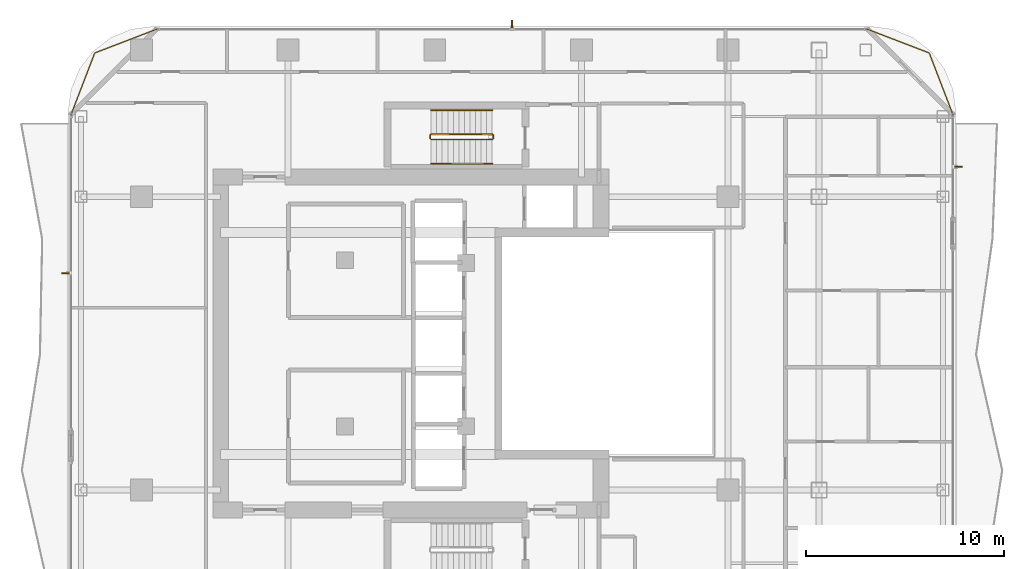
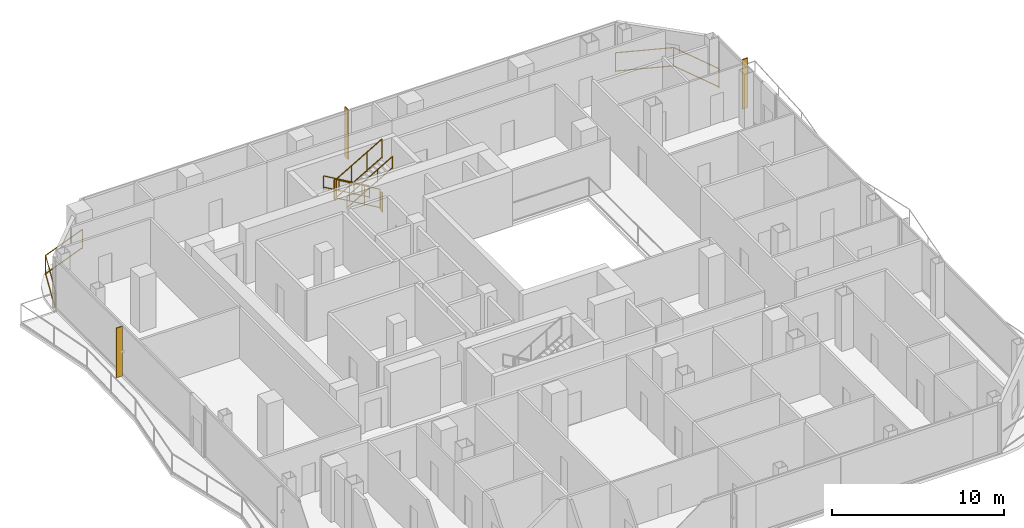
# One storey, part 27 of 27: 8 railings, 3 shading devices.
"""IFC4 building model written with IfcOpenShell, lengths in metres."""

from ifc_helpers import new_model, si_unit, direction, frame, origin, origin_2d, place, context, subcontext, project, spatial, rectangle, extrude, material, layer, layer_set, type_object, element, save


model = new_model("IFC4")

# Units and contexts
model_context = context("Model", 3, precision=1e-05, world=origin(), true_north=direction((0.0, 1.0)))
body_context = subcontext(model_context, "Body", "Model", "MODEL_VIEW")
ifc_project = project(units=[si_unit("LENGTHUNIT", "METRE"), si_unit("AREAUNIT", "SQUARE_METRE"), si_unit("VOLUMEUNIT", "CUBIC_METRE"), si_unit("PLANEANGLEUNIT", "RADIAN"), si_unit("MASSUNIT", "GRAM", prefix="KILO")], contexts=[model_context])

# Site, building, storey
site_placement = place(None, origin())
site = spatial("IfcSite", under=ifc_project, at=site_placement, CompositionType="ELEMENT")
building_placement = place(site_placement, origin())
building = spatial("IfcBuilding", under=site, at=building_placement, Name="Khorvyn Point Tower", CompositionType="ELEMENT")
storey_placement = place(building_placement, frame((0.0, 0.0, 231.300048828125)))
storey = spatial("IfcBuildingStorey", under=building, at=storey_placement, Name="L57", CompositionType="ELEMENT", Elevation=231.300048828125)

# Shading devices
ifc_material_1 = material(Name="Bronze anodised aluminium 6063-T6", Category="aluminium")
ifc_layer = layer(ifc_material_1, 0.06494140625)
ifc_layer_set = layer_set([ifc_layer], Name="Bronze Anodised Aluminium FIN 380x65")
shading_device_type = type_object("IfcShadingDeviceType", Name="Bronze Anodised Aluminium FIN 380x65", PredefinedType="USERDEFINED", material=ifc_layer_set)
for number, where, z_axis, x_axis, name in (
    (1, (3.89990234375, 16.1298828125, 0.0400390625), (0.0, 0.0, 1.0), (0.0, 1.0, 0.0), "L57 Anodised FIN 01"),
    (2, (-18.6298828125, 3.544921875, 0.0400390625), (0.0, 0.0, 1.0), (-1.0, 0.0, 0.0), "L57 Anodised FIN 01"),
    (3, (26.429931640625, 8.916015625, 0.0400390625), (0.0, 0.0, 1.0), (1.0, 0.0, 0.0), "L57 Anodised FIN 01"),
):
    element("IfcShadingDevice", number, at=place(storey_placement, frame(where, z_axis=z_axis, x_axis=x_axis)), inside=storey, type_object=shading_device_type, Name=name, ObjectType="FIN", PredefinedType="USERDEFINED", context=body_context, shape_type="SweptSolid", body=[
        extrude(rectangle(XDim=0.3798828125, YDim=0.06494140625, at=origin_2d()), origin(), (0.0, 0.0, 1.0), 3.52001953125),
    ])

# Railings
ifc_material_2 = material(Name="Anodised aluminium 6063-T6 and laminated safety glass", Category="aluminium")
railing_type_1 = type_object("IfcRailingType", Name="Laminated Glass and Aluminium Balcony Guardrail 1400", PredefinedType="BALUSTRADE", material=ifc_material_2)
railing_1_placement = place(storey_placement, frame((-13.981201171875, 15.874267578125, 0.0)))
element("IfcRailing", 4, at=railing_1_placement, inside=storey, type_object=railing_type_1, Name="L57 Rounded Corner Edge Guardrail NW", PredefinedType="BALUSTRADE", context=body_context, shape_type="SweptSolid", body=[
    extrude(rectangle(XDim=0.048095703125, YDim=0.048095703125, at=origin_2d()), frame((0.0, 0.0, 1.3759765625), z_axis=(-0.933589651443, -0.358343916815, 0.0), x_axis=(0.358343916815, -0.933589651443, 0.0)), (0.0, 0.0, 1.0), 3.400390625),
    extrude(rectangle(XDim=0.048095703125, YDim=0.048095703125, at=origin_2d()), frame((0.0, 0.0, 0.080078125), z_axis=(-0.933589651443, -0.358343916815, 0.0), x_axis=(0.358343916815, -0.933589651443, 0.0)), (0.0, 0.0, 1.0), 3.400390625),
    extrude(rectangle(XDim=0.048095703125, YDim=0.048095703125, at=origin_2d()), frame((-3.174560546875, -1.218505859375, 1.3759765625), z_axis=(-0.358343916815, -0.933589651443, 0.0), x_axis=(0.933589651443, -0.358343916815, 0.0)), (0.0, 0.0, 1.0), 3.400390625),
    extrude(rectangle(XDim=0.048095703125, YDim=0.048095703125, at=origin_2d()), frame((-3.174560546875, -1.218505859375, 0.080078125), z_axis=(-0.358343916815, -0.933589651443, 0.0), x_axis=(0.933589651443, -0.358343916815, 0.0)), (0.0, 0.0, 1.0), 3.400390625),
    extrude(rectangle(XDim=0.0419921875, YDim=0.0419921875, at=origin_2d()), origin(), (0.0, 0.0, 1.0), 1.351806640625),
    extrude(rectangle(XDim=0.0419921875, YDim=0.0419921875, at=origin_2d()), frame((-3.174560546875, -1.218505859375, 0.0)), (0.0, 0.0, 1.0), 1.351806640625),
    extrude(rectangle(XDim=0.0419921875, YDim=0.0419921875, at=origin_2d()), frame((-4.39306640625, -4.39306640625, 0.0)), (0.0, 0.0, 1.0), 1.351806640625),
])
railing_2_placement = place(storey_placement, frame((26.17431640625, 11.481201171875, 0.0)))
element("IfcRailing", 5, at=railing_2_placement, inside=storey, type_object=railing_type_1, Name="L57 Rounded Corner Edge Guardrail NE", PredefinedType="BALUSTRADE", context=body_context, shape_type="SweptSolid", body=[
    extrude(rectangle(XDim=0.048095703125, YDim=0.048095703125, at=origin_2d()), frame((0.0, 0.0, 1.3759765625), z_axis=(-0.358343916815, 0.933589651443, 0.0), x_axis=(-0.933589651443, -0.358343916815, 0.0)), (0.0, 0.0, 1.0), 3.400390625),
    extrude(rectangle(XDim=0.048095703125, YDim=0.048095703125, at=origin_2d()), frame((0.0, 0.0, 0.080078125), z_axis=(-0.358343916815, 0.933589651443, 0.0), x_axis=(-0.933589651443, -0.358343916815, 0.0)), (0.0, 0.0, 1.0), 3.400390625),
    extrude(rectangle(XDim=0.048095703125, YDim=0.048095703125, at=origin_2d()), frame((-1.218505859375, 3.174560546875, 1.3759765625), z_axis=(-0.933589651443, 0.358343916815, 0.0), x_axis=(-0.358343916815, -0.933589651443, 0.0)), (0.0, 0.0, 1.0), 3.400390625),
    extrude(rectangle(XDim=0.048095703125, YDim=0.048095703125, at=origin_2d()), frame((-1.218505859375, 3.174560546875, 0.080078125), z_axis=(-0.933589651443, 0.358343916815, 0.0), x_axis=(-0.358343916815, -0.933589651443, 0.0)), (0.0, 0.0, 1.0), 3.400390625),
    extrude(rectangle(XDim=0.0419921875, YDim=0.0419921875, at=origin_2d()), origin(), (0.0, 0.0, 1.0), 1.351806640625),
    extrude(rectangle(XDim=0.0419921875, YDim=0.0419921875, at=origin_2d()), frame((-1.218505859375, 3.174560546875, 0.0)), (0.0, 0.0, 1.0), 1.351806640625),
    extrude(rectangle(XDim=0.0419921875, YDim=0.0419921875, at=origin_2d()), frame((-4.39306640625, 4.39306640625, 0.0)), (0.0, 0.0, 1.0), 1.351806640625),
])
ifc_material_3 = material(Name="Stainless steel 1.4301", Category="steel")
railing_type_2 = type_object("IfcRailingType", Name="Stainless Steel 304 Stair Pitch Handrail 900", PredefinedType="HANDRAIL", material=ifc_material_3)
railing_3_placement = place(storey_placement, frame((2.89990234375, 11.77001953125, 0.162353515625)))
element("IfcRailing", 6, at=railing_3_placement, inside=storey, type_object=railing_type_2, Name="L57 ST-02 stair handrail 1", PredefinedType="HANDRAIL", context=body_context, shape_type="SweptSolid", body=[
    extrude(rectangle(XDim=0.048095703125, YDim=0.048095703125, at=origin_2d()), frame((0.0, 0.0, 0.8759765625), z_axis=(-0.864873446163, 0.0, 0.501989962173), x_axis=(0.0, -1.0, 0.0)), (0.0, 0.0, 1.0), 3.56103515625),
    extrude(rectangle(XDim=0.048095703125, YDim=0.048095703125, at=origin_2d()), frame((0.0, 0.0, 0.080078125), z_axis=(-0.864873446163, 0.0, 0.501989962173), x_axis=(0.0, -1.0, 0.0)), (0.0, 0.0, 1.0), 3.56103515625),
    extrude(rectangle(XDim=0.0419921875, YDim=0.0419921875, at=origin_2d()), origin(), (0.0, 0.0, 1.0), 0.851806640625),
    extrude(rectangle(XDim=0.0419921875, YDim=0.0419921875, at=origin_2d()), frame((-1.026611328125, 0.0, 0.595947265625)), (0.0, 0.0, 1.0), 0.851806640625),
    extrude(rectangle(XDim=0.0419921875, YDim=0.0419921875, at=origin_2d()), frame((-2.05322265625, 0.0, 1.191650390625)), (0.0, 0.0, 1.0), 0.851806640625),
    extrude(rectangle(XDim=0.0419921875, YDim=0.0419921875, at=origin_2d()), frame((-3.079833984375, 0.0, 1.78759765625)), (0.0, 0.0, 1.0), 0.851806640625),
])
railing_4_placement = place(storey_placement, frame((-0.179931640625, 9.070068359375, 2.112548828125)))
element("IfcRailing", 7, at=railing_4_placement, inside=storey, type_object=railing_type_2, Name="L57 ST-02 stair handrail 2", PredefinedType="HANDRAIL", context=body_context, shape_type="SweptSolid", body=[
    extrude(rectangle(XDim=0.048095703125, YDim=0.048095703125, at=origin_2d()), frame((0.0, 0.0, 0.8759765625), z_axis=(0.864903211148, 0.0, 0.501938676878), x_axis=(0.0, 1.0, 0.0)), (0.0, 0.0, 1.0), 3.560791015625),
    extrude(rectangle(XDim=0.048095703125, YDim=0.048095703125, at=origin_2d()), frame((0.0, 0.0, 0.080078125), z_axis=(0.864903211148, 0.0, 0.501938676878), x_axis=(0.0, 1.0, 0.0)), (0.0, 0.0, 1.0), 3.560791015625),
    extrude(rectangle(XDim=0.0419921875, YDim=0.0419921875, at=origin_2d()), origin(), (0.0, 0.0, 1.0), 0.851806640625),
    extrude(rectangle(XDim=0.0419921875, YDim=0.0419921875, at=origin_2d()), frame((1.026611328125, 0.0, 0.595703125)), (0.0, 0.0, 1.0), 0.851806640625),
    extrude(rectangle(XDim=0.0419921875, YDim=0.0419921875, at=origin_2d()), frame((2.05322265625, 0.0, 1.191650390625)), (0.0, 0.0, 1.0), 0.851806640625),
    extrude(rectangle(XDim=0.0419921875, YDim=0.0419921875, at=origin_2d()), frame((3.079833984375, 0.0, 1.787353515625)), (0.0, 0.0, 1.0), 0.851806640625),
])
railing_type_3 = type_object("IfcRailingType", Name="Stainless Steel 304 Stair Well Guardrail 1400", PredefinedType="GUARDRAIL", material=ifc_material_3)
railing_5_placement = place(storey_placement, frame((2.89990234375, 10.550048828125, 0.162353515625)))
element("IfcRailing", 8, at=railing_5_placement, inside=storey, type_object=railing_type_3, Name="L57 ST-02 stair guard 1", PredefinedType="GUARDRAIL", context=body_context, shape_type="SweptSolid", body=[
    extrude(rectangle(XDim=0.048095703125, YDim=0.048095703125, at=origin_2d()), frame((0.0, 0.0, 1.3759765625), z_axis=(-0.864873446163, 0.0, 0.501989962173), x_axis=(0.0, -1.0, 0.0)), (0.0, 0.0, 1.0), 3.56103515625),
    extrude(rectangle(XDim=0.048095703125, YDim=0.048095703125, at=origin_2d()), frame((0.0, 0.0, 0.080078125), z_axis=(-0.864873446163, 0.0, 0.501989962173), x_axis=(0.0, -1.0, 0.0)), (0.0, 0.0, 1.0), 3.56103515625),
    extrude(rectangle(XDim=0.0419921875, YDim=0.0419921875, at=origin_2d()), origin(), (0.0, 0.0, 1.0), 1.351806640625),
    extrude(rectangle(XDim=0.0419921875, YDim=0.0419921875, at=origin_2d()), frame((-1.026611328125, 0.0, 0.595947265625)), (0.0, 0.0, 1.0), 1.351806640625),
    extrude(rectangle(XDim=0.0419921875, YDim=0.0419921875, at=origin_2d()), frame((-2.05322265625, 0.0, 1.191650390625)), (0.0, 0.0, 1.0), 1.351806640625),
    extrude(rectangle(XDim=0.0419921875, YDim=0.0419921875, at=origin_2d()), frame((-3.079833984375, 0.0, 1.78759765625)), (0.0, 0.0, 1.0), 1.351806640625),
])
railing_6_placement = place(storey_placement, frame((-0.22998046875, 10.5, 1.949951171875)))
element("IfcRailing", 9, at=railing_6_placement, inside=storey, type_object=railing_type_3, Name="L57 ST-02 stair guard 2", PredefinedType="GUARDRAIL", context=body_context, shape_type="SweptSolid", body=[
    extrude(rectangle(XDim=0.048095703125, YDim=0.048095703125, at=origin_2d()), frame((0.0, 0.0, 1.3759765625), z_axis=(0.0, -1.0, 0.0), x_axis=(1.0, 0.0, 0.0)), (0.0, 0.0, 1.0), 0.159912109375),
    extrude(rectangle(XDim=0.048095703125, YDim=0.048095703125, at=origin_2d()), frame((0.0, 0.0, 0.080078125), z_axis=(0.0, -1.0, 0.0), x_axis=(1.0, 0.0, 0.0)), (0.0, 0.0, 1.0), 0.159912109375),
    extrude(rectangle(XDim=0.0419921875, YDim=0.0419921875, at=origin_2d()), origin(), (0.0, 0.0, 1.0), 1.351806640625),
    extrude(rectangle(XDim=0.0419921875, YDim=0.0419921875, at=origin_2d()), frame((0.0, -0.159912109375, 0.0)), (0.0, 0.0, 1.0), 1.351806640625),
])
railing_7_placement = place(storey_placement, frame((-0.179931640625, 10.2900390625, 2.112548828125)))
element("IfcRailing", 10, at=railing_7_placement, inside=storey, type_object=railing_type_3, Name="L57 ST-02 stair guard 3", PredefinedType="GUARDRAIL", context=body_context, shape_type="SweptSolid", body=[
    extrude(rectangle(XDim=0.048095703125, YDim=0.048095703125, at=origin_2d()), frame((0.0, 0.0, 1.3759765625), z_axis=(0.864903211148, 0.0, 0.501938676878), x_axis=(0.0, 1.0, 0.0)), (0.0, 0.0, 1.0), 3.560791015625),
    extrude(rectangle(XDim=0.048095703125, YDim=0.048095703125, at=origin_2d()), frame((0.0, 0.0, 0.080078125), z_axis=(0.864903211148, 0.0, 0.501938676878), x_axis=(0.0, 1.0, 0.0)), (0.0, 0.0, 1.0), 3.560791015625),
    extrude(rectangle(XDim=0.0419921875, YDim=0.0419921875, at=origin_2d()), origin(), (0.0, 0.0, 1.0), 1.351806640625),
    extrude(rectangle(XDim=0.0419921875, YDim=0.0419921875, at=origin_2d()), frame((1.026611328125, 0.0, 0.595703125)), (0.0, 0.0, 1.0), 1.351806640625),
    extrude(rectangle(XDim=0.0419921875, YDim=0.0419921875, at=origin_2d()), frame((2.05322265625, 0.0, 1.191650390625)), (0.0, 0.0, 1.0), 1.351806640625),
    extrude(rectangle(XDim=0.0419921875, YDim=0.0419921875, at=origin_2d()), frame((3.079833984375, 0.0, 1.787353515625)), (0.0, 0.0, 1.0), 1.351806640625),
])
railing_8_placement = place(storey_placement, frame((2.949951171875, 10.5, 0.0)))
element("IfcRailing", 11, at=railing_8_placement, inside=storey, type_object=railing_type_3, Name="L57 ST-02 stair guard 4", PredefinedType="GUARDRAIL", context=body_context, shape_type="SweptSolid", body=[
    extrude(rectangle(XDim=0.048095703125, YDim=0.048095703125, at=origin_2d()), frame((0.0, 0.0, 1.3759765625), z_axis=(0.0, -1.0, 0.0), x_axis=(1.0, 0.0, 0.0)), (0.0, 0.0, 1.0), 0.159912109375),
    extrude(rectangle(XDim=0.048095703125, YDim=0.048095703125, at=origin_2d()), frame((0.0, 0.0, 0.080078125), z_axis=(0.0, -1.0, 0.0), x_axis=(1.0, 0.0, 0.0)), (0.0, 0.0, 1.0), 0.159912109375),
    extrude(rectangle(XDim=0.0419921875, YDim=0.0419921875, at=origin_2d()), origin(), (0.0, 0.0, 1.0), 1.351806640625),
    extrude(rectangle(XDim=0.0419921875, YDim=0.0419921875, at=origin_2d()), frame((0.0, -0.159912109375, 0.0)), (0.0, 0.0, 1.0), 1.351806640625),
])

save(model, "model.ifc")
